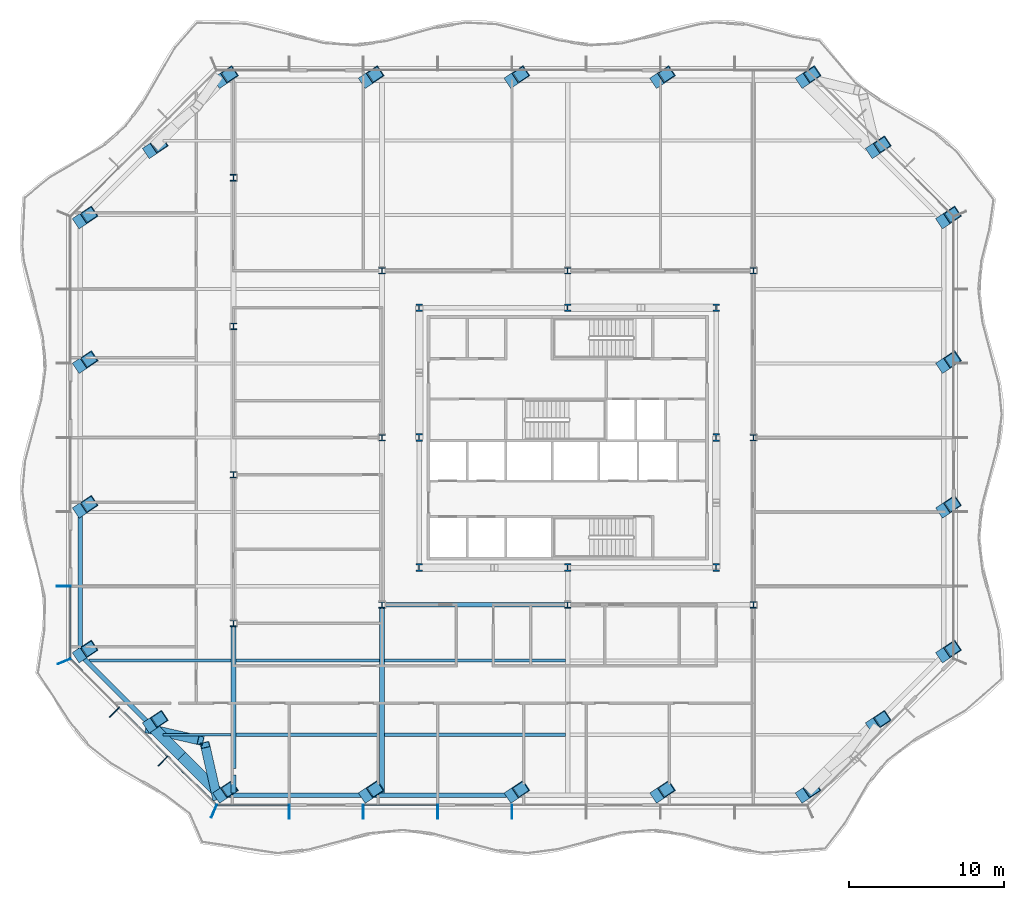
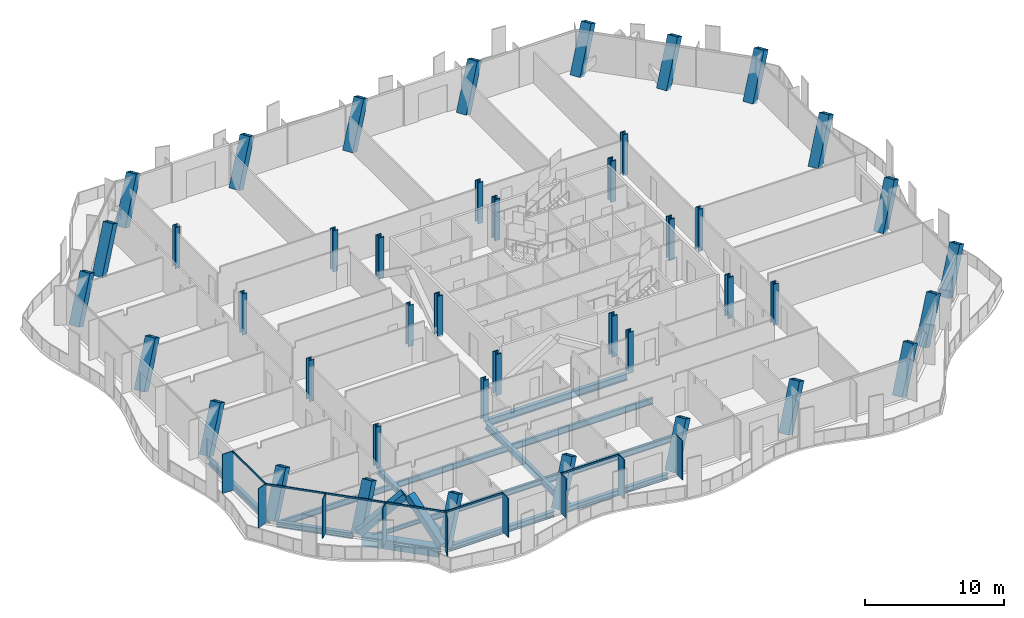
# One storey, part 1 of 20: 42 columns, 17 members, 16 beams, 3 elements without a shape of their own.
"""IFC4 building model written with IfcOpenShell, lengths in metres."""

from ifc_helpers import new_model, si_unit, direction, frame, origin, origin_2d, place, context, subcontext, project, spatial, rectangle, hollow_rectangle, i_section, extrude, clip, halfspace, material, material_profile, profile_set, type_object, element, aggregate, save


model = new_model("IFC4")

# Units and contexts
model_context = context("Model", 3, precision=1e-05, world=origin(), true_north=direction((0.0, 1.0)))
body_context = subcontext(model_context, "Body", "Model", "MODEL_VIEW")
ifc_project = project(units=[si_unit("LENGTHUNIT", "METRE"), si_unit("AREAUNIT", "SQUARE_METRE"), si_unit("VOLUMEUNIT", "CUBIC_METRE"), si_unit("PLANEANGLEUNIT", "RADIAN"), si_unit("MASSUNIT", "GRAM", prefix="KILO")], contexts=[model_context])

# Site, building, storey
site_placement = place(None, origin())
site = spatial("IfcSite", under=ifc_project, at=site_placement, CompositionType="ELEMENT")
building_placement = place(site_placement, origin())
building = spatial("IfcBuilding", under=site, at=building_placement, Name="Cairn Pilgrim Tower", CompositionType="ELEMENT")
storey_placement = place(building_placement, frame((0.0, 0.0, 101.39990234375)))
storey = spatial("IfcBuildingStorey", under=building, at=storey_placement, Name="L24", CompositionType="ELEMENT", Elevation=101.39990234375)

# Columns
ifc_material_1 = material(Name="Structural steel S460M", Category="steel")
ifc_material_profile_1 = material_profile(ifc_material_1, hollow_rectangle(XDim=0.800048828125, YDim=0.800048828125, WallThickness=0.050048828125, at=origin_2d()), Name="BOX 800x800x50")
ifc_profile_set_1 = profile_set([ifc_material_profile_1], Name="Structural steel S460M")
column_type_1 = type_object("IfcColumnType", Name="BOX 800x800x50", PredefinedType="COLUMN", material=ifc_profile_set_1)
for number, where, z_axis, x_axis, name in (
    (1, (-15.227294921875, -20.699951171875, -0.14990234375), (0.375119631758, 0.25005957702, 0.892611600759), (-0.554669210465, 0.832070950678, 0.0), "PC1-S1"),
    (2, (-5.813720703125, -20.699951171875, -0.14990234375), (0.375119631758, 0.25005957702, 0.892611600759), (-0.554669210465, 0.832070950678, 0.0), "PC1-S2"),
):
    element("IfcColumn", number, at=place(storey_placement, frame(where, z_axis=z_axis, x_axis=x_axis)), inside=storey, type_object=column_type_1, Name=name, PredefinedType="COLUMN", context=body_context, shape_type="Clipping", body=[
        clip(extrude(hollow_rectangle(XDim=0.800048828125, YDim=0.800048828125, WallThickness=0.050048828125, at=origin_2d()), origin(), (0.0, 0.0, 1.0), 4.033203125), halfspace(frame((0.0, 0.0, 4.009033203125), z_axis=(0.0, 0.0, 1.0), x_axis=(1.0, 0.0, 0.0)), False)),
    ])
column_1_placement = place(storey_placement, frame((3.60009765625, -20.699951171875, -0.14990234375), z_axis=(0.375067615339, 0.250065254836, 0.892631868268), x_axis=(-0.554731184678, 0.832029634536, 0.0)))
element("IfcColumn", 3, at=column_1_placement, inside=storey, type_object=column_type_1, Name="PC1-S3", PredefinedType="COLUMN", context=body_context, shape_type="Clipping", body=[
    clip(extrude(hollow_rectangle(XDim=0.800048828125, YDim=0.800048828125, WallThickness=0.050048828125, at=origin_2d()), origin(), (0.0, 0.0, 1.0), 4.033203125), halfspace(frame((0.0, 0.0, 4.0087890625), z_axis=(0.0, 0.0, 1.0), x_axis=(1.0, 0.0, 0.0)), False)),
])
for number, where, z_axis, x_axis, name in (
    (4, (13.013671875, -20.699951171875, -0.14990234375), (0.375119631758, 0.25005957702, 0.892611600759), (-0.554669210465, 0.832070950678, 0.0), "PC1-S4"),
    (5, (22.42724609375, -20.699951171875, -0.14990234375), (0.375119631758, 0.25005957702, 0.892611600759), (-0.554669210465, 0.832070950678, 0.0), "PC1-SE1"),
    (6, (26.963623046875, -16.16357421875, -0.14990234375), (0.375119631758, 0.25005957702, 0.892611600759), (-0.554669210465, 0.832070950678, 0.0), "PC1-SE2"),
    (7, (31.5, -11.627197265625, -0.14990234375), (0.375119631758, 0.25005957702, 0.892611600759), (-0.554669210465, 0.832070950678, 0.0), "PC1-E1"),
    (8, (31.5, -2.275634765625, -0.14990234375), (0.375119631758, 0.25005957702, 0.892611600759), (-0.554669210465, 0.832070950678, 0.0), "PC1-E2"),
    (9, (31.5, 7.07568359375, -0.14990234375), (0.375113953119, 0.250116323106, 0.892598088219), (-0.554762160823, 0.832008981273, 0.0), "PC1-E3"),
    (10, (31.5, 16.42724609375, -0.14990234375), (0.375119631758, 0.25005957702, 0.892611600759), (-0.554669210465, 0.832070950678, 0.0), "PC1-NE1"),
    (11, (26.963623046875, 20.963623046875, -0.14990234375), (0.375119631758, 0.25005957702, 0.892611600759), (-0.554669210465, 0.832070950678, 0.0), "PC1-NE2"),
    (12, (22.42724609375, 25.5, -0.14990234375), (0.375119631758, 0.25005957702, 0.892611600759), (-0.554669210465, 0.832070950678, 0.0), "PC1-N1"),
    (13, (13.013671875, 25.5, -0.14990234375), (0.375119631758, 0.25005957702, 0.892611600759), (-0.554669210465, 0.832070950678, 0.0), "PC1-N2"),
):
    element("IfcColumn", number, at=place(storey_placement, frame(where, z_axis=z_axis, x_axis=x_axis)), inside=storey, type_object=column_type_1, Name=name, PredefinedType="COLUMN", context=body_context, shape_type="Clipping", body=[
        clip(extrude(hollow_rectangle(XDim=0.800048828125, YDim=0.800048828125, WallThickness=0.050048828125, at=origin_2d()), origin(), (0.0, 0.0, 1.0), 4.033203125), halfspace(frame((0.0, 0.0, 4.009033203125), z_axis=(0.0, 0.0, 1.0), x_axis=(1.0, 0.0, 0.0)), False)),
    ])
column_2_placement = place(storey_placement, frame((3.60009765625, 25.5, -0.14990234375), z_axis=(0.375067615339, 0.250065254836, 0.892631868268), x_axis=(-0.554731184678, 0.832029634536, 0.0)))
element("IfcColumn", 14, at=column_2_placement, inside=storey, type_object=column_type_1, Name="PC1-N3", PredefinedType="COLUMN", context=body_context, shape_type="Clipping", body=[
    clip(extrude(hollow_rectangle(XDim=0.800048828125, YDim=0.800048828125, WallThickness=0.050048828125, at=origin_2d()), origin(), (0.0, 0.0, 1.0), 4.033203125), halfspace(frame((0.0, 0.0, 4.0087890625), z_axis=(0.0, 0.0, 1.0), x_axis=(1.0, 0.0, 0.0)), False)),
])
for number, where, z_axis, x_axis, name in (
    (15, (-5.813720703125, 25.5, -0.14990234375), (0.375119631758, 0.25005957702, 0.892611600759), (-0.554669210465, 0.832070950678, 0.0), "PC1-N4"),
    (16, (-15.227294921875, 25.5, -0.14990234375), (0.375119631758, 0.25005957702, 0.892611600759), (-0.554669210465, 0.832070950678, 0.0), "PC1-NW1"),
    (17, (-19.763671875, 20.963623046875, -0.14990234375), (0.375119631758, 0.25005957702, 0.892611600759), (-0.554669210465, 0.832070950678, 0.0), "PC1-NW2"),
    (18, (-24.300048828125, 16.42724609375, -0.14990234375), (0.375119631758, 0.25005957702, 0.892611600759), (-0.554669210465, 0.832070950678, 0.0), "PC1-W1"),
    (19, (-24.300048828125, 7.07568359375, -0.14990234375), (0.375113953119, 0.250116323106, 0.892598088219), (-0.554762160823, 0.832008981273, 0.0), "PC1-W2"),
    (20, (-24.300048828125, -2.275634765625, -0.14990234375), (0.375119631758, 0.25005957702, 0.892611600759), (-0.554669210465, 0.832070950678, 0.0), "PC1-W3"),
    (21, (-24.300048828125, -11.627197265625, -0.14990234375), (0.375119631758, 0.25005957702, 0.892611600759), (-0.554669210465, 0.832070950678, 0.0), "PC1-SW1"),
    (22, (-19.763671875, -16.16357421875, -0.14990234375), (0.375119631758, 0.25005957702, 0.892611600759), (-0.554669210465, 0.832070950678, 0.0), "PC1-SW2"),
):
    element("IfcColumn", number, at=place(storey_placement, frame(where, z_axis=z_axis, x_axis=x_axis)), inside=storey, type_object=column_type_1, Name=name, PredefinedType="COLUMN", context=body_context, shape_type="Clipping", body=[
        clip(extrude(hollow_rectangle(XDim=0.800048828125, YDim=0.800048828125, WallThickness=0.050048828125, at=origin_2d()), origin(), (0.0, 0.0, 1.0), 4.033203125), halfspace(frame((0.0, 0.0, 4.009033203125), z_axis=(0.0, 0.0, 1.0), x_axis=(1.0, 0.0, 0.0)), False)),
    ])
ifc_material_profile_2 = material_profile(ifc_material_1, i_section(OverallWidth=0.408935546875, OverallDepth=0.425048828125, WebThickness=0.03271484375, FlangeThickness=0.052490234375, FilletRadius=0.014892578125, at=origin_2d()), Name="HD 400x421")
ifc_profile_set_2 = profile_set([ifc_material_profile_2], Name="Structural steel S460M")
column_type_2 = type_object("IfcColumnType", Name="HD 400x421", PredefinedType="COLUMN", material=ifc_profile_set_2)
for number, where, z_axis, x_axis, name in (
    (23, (-4.800048828125, -8.39990234375, -0.14990234375), (0.0, 0.0, 1.0), (1.0, 0.0, 0.0), "IC-1"),
    (24, (7.199951171875, -8.39990234375, -0.14990234375), (0.0, 0.0, 1.0), (1.0, 0.0, 0.0), "IC-2"),
    (25, (19.199951171875, -8.39990234375, -0.14990234375), (0.0, 0.0, 1.0), (1.0, 0.0, 0.0), "IC-3"),
    (26, (-4.800048828125, 2.39990234375, -0.14990234375), (0.0, 0.0, 1.0), (1.0, 0.0, 0.0), "IC-4"),
    (27, (19.199951171875, 2.39990234375, -0.14990234375), (0.0, 0.0, 1.0), (1.0, 0.0, 0.0), "IC-5"),
    (28, (-4.800048828125, 13.199951171875, -0.14990234375), (0.0, 0.0, 1.0), (1.0, 0.0, 0.0), "IC-6"),
    (29, (7.199951171875, 13.199951171875, -0.14990234375), (0.0, 0.0, 1.0), (1.0, 0.0, 0.0), "IC-7"),
    (30, (19.199951171875, 13.199951171875, -0.14990234375), (0.0, 0.0, 1.0), (1.0, 0.0, 0.0), "IC-8"),
    (31, (-14.39990234375, -9.60009765625, -0.14990234375), (0.0, 0.0, 1.0), (1.0, 0.0, 0.0), "WC-WW-2"),
    (32, (-14.39990234375, 0.0, -0.14990234375), (0.0, 0.0, 1.0), (1.0, 0.0, 0.0), "WC-WW+0"),
    (33, (-14.39990234375, 9.60009765625, -0.14990234375), (0.0, 0.0, 1.0), (1.0, 0.0, 0.0), "WC-WW+2"),
    (34, (-14.39990234375, 19.199951171875, -0.14990234375), (0.0, 0.0, 1.0), (1.0, 0.0, 0.0), "WC-WW+4"),
):
    element("IfcColumn", number, at=place(storey_placement, frame(where, z_axis=z_axis, x_axis=x_axis)), inside=storey, type_object=column_type_2, Name=name, PredefinedType="COLUMN", context=body_context, shape_type="SweptSolid", body=[
        extrude(i_section(OverallWidth=0.408935546875, OverallDepth=0.425048828125, WebThickness=0.03271484375, FlangeThickness=0.052490234375, FilletRadius=0.014892578125, at=origin_2d()), origin(), (0.0, 0.0, 1.0), 3.60009765625),
    ])
ifc_material_profile_3 = material_profile(ifc_material_1, i_section(OverallWidth=0.43701171875, OverallDepth=0.513916015625, WebThickness=0.060546875, FlangeThickness=0.096923828125, FilletRadius=0.014892578125, at=origin_2d()), Name="HD 400x818")
ifc_profile_set_3 = profile_set([ifc_material_profile_3], Name="Structural steel S460M")
column_type_3 = type_object("IfcColumnType", Name="HD 400x818", PredefinedType="COLUMN", material=ifc_profile_set_3)
for number, where, z_axis, x_axis, name in (
    (35, (-2.39990234375, -6.0, -0.14990234375), (0.0, 0.0, 1.0), (1.0, 0.0, 0.0), "KC-1"),
    (36, (7.199951171875, -6.0, -0.14990234375), (0.0, 0.0, 1.0), (1.0, 0.0, 0.0), "KC-2"),
    (37, (16.800048828125, -6.0, -0.14990234375), (0.0, 0.0, 1.0), (1.0, 0.0, 0.0), "KC-3"),
    (38, (-2.39990234375, 2.39990234375, -0.14990234375), (0.0, 0.0, 1.0), (1.0, 0.0, 0.0), "KC-4"),
    (39, (16.800048828125, 2.39990234375, -0.14990234375), (0.0, 0.0, 1.0), (1.0, 0.0, 0.0), "KC-5"),
    (40, (-2.39990234375, 10.800048828125, -0.14990234375), (0.0, 0.0, 1.0), (1.0, 0.0, 0.0), "KC-6"),
    (41, (7.199951171875, 10.800048828125, -0.14990234375), (0.0, 0.0, 1.0), (1.0, 0.0, 0.0), "KC-7"),
    (42, (16.800048828125, 10.800048828125, -0.14990234375), (0.0, 0.0, 1.0), (1.0, 0.0, 0.0), "KC-8"),
):
    element("IfcColumn", number, at=place(storey_placement, frame(where, z_axis=z_axis, x_axis=x_axis)), inside=storey, type_object=column_type_3, Name=name, PredefinedType="COLUMN", context=body_context, shape_type="SweptSolid", body=[
        extrude(i_section(OverallWidth=0.43701171875, OverallDepth=0.513916015625, WebThickness=0.060546875, FlangeThickness=0.096923828125, FilletRadius=0.014892578125, at=origin_2d()), origin(), (0.0, 0.0, 1.0), 3.60009765625),
    ])

# Members
ifc_material_profile_4 = material_profile(ifc_material_1, hollow_rectangle(XDim=0.60009765625, YDim=0.60009765625, WallThickness=0.034912109375, at=origin_2d()), Name="BOX 600x600x35")
ifc_profile_set_4 = profile_set([ifc_material_profile_4], Name="Structural steel S460M")
member_type_1 = type_object("IfcMemberType", Name="BOX 600x600x35 BRACE", PredefinedType="BRACE", material=ifc_profile_set_4)
member_1_placement = place(storey_placement, frame((-19.894287109375, -16.40771484375, 0.150146484375), z_axis=(0.781035759164, -0.176937510167, 0.598895867746), x_axis=(0.22094351224, 0.975286606285, 0.0)))
element("IfcMember", 43, at=member_1_placement, inside=storey, type_object=member_type_1, Name="XB-SW2-S1-1", PredefinedType="BRACE", context=body_context, shape_type="SweptSolid", body=[
    extrude(hollow_rectangle(XDim=0.60009765625, YDim=0.60009765625, WallThickness=0.034912109375, at=origin_2d()), origin(), (0.0, 0.0, 1.0), 4.3173828125),
])
member_2_placement = place(storey_placement, frame((-15.47119140625, -20.830810546875, 0.150146484375), z_axis=(-0.17692969583, 0.781057810323, 0.598869417876), x_axis=(-0.975290052904, -0.220928297657, 0.0)))
element("IfcMember", 44, at=member_2_placement, inside=storey, type_object=member_type_1, Name="XB-SW2-S1-2", PredefinedType="BRACE", context=body_context, shape_type="SweptSolid", body=[
    extrude(hollow_rectangle(XDim=0.60009765625, YDim=0.60009765625, WallThickness=0.034912109375, at=origin_2d()), origin(), (0.0, 0.0, 1.0), 4.317626953125),
])

# Beams
ifc_material_2 = material(Name="Structural steel S355J2", Category="steel")
ifc_material_profile_5 = material_profile(ifc_material_2, hollow_rectangle(XDim=0.699951171875, YDim=0.800048828125, WallThickness=0.0400390625, at=origin_2d()), Name="BOX 700x800x40")
ifc_profile_set_5 = profile_set([ifc_material_profile_5], Name="Structural steel S355J2")
beam_type_1 = type_object("IfcBeamType", Name="BOX 700x800x40 RING GIRDER", PredefinedType="SPANDREL", material=ifc_profile_set_5)
beam_1_placement = place(storey_placement, frame((-19.509033203125, -16.418212890625, -0.5498046875), z_axis=(0.707106781187, -0.707106781187, 0.0), x_axis=(0.707106781187, 0.707106781187, 0.0)))
element("IfcBeam", 45, at=beam_1_placement, inside=storey, type_object=beam_type_1, Name="RG1-SW2-S1-1", PredefinedType="SPANDREL", context=body_context, shape_type="SweptSolid", body=[
    extrude(hollow_rectangle(XDim=0.699951171875, YDim=0.800048828125, WallThickness=0.0400390625, at=origin_2d()), origin(), (0.0, 0.0, 1.0), 2.4912109375),
])
beam_2_placement = place(storey_placement, frame((-17.74755859375, -18.1796875, -0.5498046875), z_axis=(0.707144876533, -0.707068683787, 0.0), x_axis=(0.707068683787, 0.707144876533, 0.0)))
element("IfcBeam", 46, at=beam_2_placement, inside=storey, type_object=beam_type_1, Name="RG1-SW2-S1-2", PredefinedType="SPANDREL", context=body_context, shape_type="SweptSolid", body=[
    extrude(hollow_rectangle(XDim=0.699951171875, YDim=0.800048828125, WallThickness=0.0400390625, at=origin_2d()), origin(), (0.0, 0.0, 1.0), 3.204345703125),
])

# Curtain wall, members
ifc_material_3 = material(Name="Aluminium alloy 6063-T6 bronze anodised with Bronze tinted laminated low-E glass 8+16+8.8", Category="aluminium")
curtain_wall_type_1 = type_object("IfcCurtainWallType", Name="TOWER STICK CURTAIN WALL NS", PredefinedType="NOTDEFINED", material=ifc_material_3)
curtain_wall_1_placement = place(storey_placement, origin())
curtain_wall_1 = element("IfcCurtainWall", 47, at=curtain_wall_1_placement, inside=storey, type_object=curtain_wall_type_1, Name="Tower Stick Curtain Wall Ns S", PredefinedType="NOTDEFINED")
ifc_material_4 = material(Name="Aluminium alloy 6063-T6 bronze anodised", Category="aluminium")
ifc_material_profile_6 = material_profile(ifc_material_4, rectangle(XDim=0.89990234375, YDim=0.06005859375, at=origin_2d()), Name="FIN MULLION 60x900 BRONZE")
ifc_profile_set_6 = profile_set([ifc_material_profile_6], Name="Aluminium alloy 6063-T6 bronze anodised")
member_type_2 = type_object("IfcMemberType", Name="FIN MULLION 60x900 BRONZE", PredefinedType="MULLION", material=ifc_profile_set_6)
member_3_placement = place(storey_placement, frame((-15.6572265625, -21.738037109375, 0.0), z_axis=(0.0, 0.0, 1.0), x_axis=(-0.382683432365, -0.923879532511, 0.0)))
member_3 = element("IfcMember", 48, at=member_3_placement, type_object=member_type_2, Name="Fin mullion S1", PredefinedType="MULLION", context=body_context, shape_type="SweptSolid", body=[
    extrude(rectangle(XDim=0.89990234375, YDim=0.06005859375, at=origin_2d()), origin(), (0.0, 0.0, 1.0), 3.4501953125),
])
member_4_placement = place(storey_placement, frame((-10.800048828125, -21.77001953125, 0.0), z_axis=(0.0, 0.0, 1.0), x_axis=(0.0, -1.0, 0.0)))
member_4 = element("IfcMember", 49, at=member_4_placement, type_object=member_type_2, Name="Fin mullion S2", PredefinedType="MULLION", context=body_context, shape_type="SweptSolid", body=[
    extrude(rectangle(XDim=0.89990234375, YDim=0.06005859375, at=origin_2d()), origin(), (0.0, 0.0, 1.0), 3.4501953125),
])
member_5_placement = place(storey_placement, frame((-6.0, -21.77001953125, 0.0), z_axis=(0.0, 0.0, 1.0), x_axis=(0.0, -1.0, 0.0)))
member_5 = element("IfcMember", 50, at=member_5_placement, type_object=member_type_2, Name="Fin mullion S3", PredefinedType="MULLION", context=body_context, shape_type="SweptSolid", body=[
    extrude(rectangle(XDim=0.89990234375, YDim=0.06005859375, at=origin_2d()), origin(), (0.0, 0.0, 1.0), 3.4501953125),
])
member_6_placement = place(storey_placement, frame((-1.199951171875, -21.77001953125, 0.0), z_axis=(0.0, 0.0, 1.0), x_axis=(0.0, -1.0, 0.0)))
member_6 = element("IfcMember", 51, at=member_6_placement, type_object=member_type_2, Name="Fin mullion S4", PredefinedType="MULLION", context=body_context, shape_type="SweptSolid", body=[
    extrude(rectangle(XDim=0.89990234375, YDim=0.06005859375, at=origin_2d()), origin(), (0.0, 0.0, 1.0), 3.4501953125),
])
member_7_placement = place(storey_placement, frame((3.60009765625, -21.77001953125, 0.0), z_axis=(0.0, 0.0, 1.0), x_axis=(0.0, -1.0, 0.0)))
member_7 = element("IfcMember", 52, at=member_7_placement, type_object=member_type_2, Name="Fin mullion S5", PredefinedType="MULLION", context=body_context, shape_type="SweptSolid", body=[
    extrude(rectangle(XDim=0.89990234375, YDim=0.06005859375, at=origin_2d()), origin(), (0.0, 0.0, 1.0), 3.4501953125),
])

# Curtain wall, member
curtain_wall_type_2 = type_object("IfcCurtainWallType", Name="TOWER STICK CURTAIN WALL EW", PredefinedType="NOTDEFINED", material=ifc_material_3)
curtain_wall_2_placement = place(storey_placement, origin())
curtain_wall_2 = element("IfcCurtainWall", 53, at=curtain_wall_2_placement, inside=storey, type_object=curtain_wall_type_2, Name="Tower Stick Curtain Wall Ew W", PredefinedType="NOTDEFINED")
member_8_placement = place(storey_placement, frame((-25.3701171875, -7.199951171875, 0.0), z_axis=(0.0, 0.0, 1.0), x_axis=(-1.0, 0.0, 0.0)))
member_8 = element("IfcMember", 54, at=member_8_placement, type_object=member_type_2, Name="Fin mullion W6", PredefinedType="MULLION", context=body_context, shape_type="SweptSolid", body=[
    extrude(rectangle(XDim=0.89990234375, YDim=0.06005859375, at=origin_2d()), origin(), (0.0, 0.0, 1.0), 3.4501953125),
])

# Curtain wall, members
curtain_wall_type_3 = type_object("IfcCurtainWallType", Name="CHAMFER CORNER CURTAIN WALL", PredefinedType="NOTDEFINED", material=ifc_material_3)
curtain_wall_3_placement = place(storey_placement, origin())
curtain_wall_3 = element("IfcCurtainWall", 55, at=curtain_wall_3_placement, inside=storey, type_object=curtain_wall_type_3, Name="Chamfer Corner Curtain Wall SW", PredefinedType="NOTDEFINED")
member_9_placement = place(storey_placement, frame((-25.338134765625, -12.05712890625, 0.0), z_axis=(0.0, 0.0, 1.0), x_axis=(-0.923879532511, -0.382683432365, 0.0)))
member_9 = element("IfcMember", 56, at=member_9_placement, type_object=member_type_2, Name="Fin mullion SW1", PredefinedType="MULLION", context=body_context, shape_type="SweptSolid", body=[
    extrude(rectangle(XDim=0.89990234375, YDim=0.06005859375, at=origin_2d()), origin(), (0.0, 0.0, 1.0), 3.4501953125),
])
member_10_placement = place(storey_placement, frame((-22.095703125, -15.3447265625, 0.0), z_axis=(0.0, 0.0, 1.0), x_axis=(-0.707106781187, -0.707106781187, 0.0)))
member_10 = element("IfcMember", 57, at=member_10_placement, type_object=member_type_2, Name="Fin mullion SW2", PredefinedType="MULLION", context=body_context, shape_type="SweptSolid", body=[
    extrude(rectangle(XDim=0.89990234375, YDim=0.06005859375, at=origin_2d()), origin(), (0.0, 0.0, 1.0), 3.4501953125),
])
member_11_placement = place(storey_placement, frame((-18.944580078125, -18.495849609375, 0.0), z_axis=(0.0, 0.0, 1.0), x_axis=(-0.707106781187, -0.707106781187, 0.0)))
member_11 = element("IfcMember", 58, at=member_11_placement, type_object=member_type_2, Name="Fin mullion SW3", PredefinedType="MULLION", context=body_context, shape_type="SweptSolid", body=[
    extrude(rectangle(XDim=0.89990234375, YDim=0.06005859375, at=origin_2d()), origin(), (0.0, 0.0, 1.0), 3.4501953125),
])

# Beams
ifc_material_profile_7 = material_profile(ifc_material_2, i_section(OverallWidth=0.300048828125, OverallDepth=0.39990234375, WebThickness=0.013427734375, FlangeThickness=0.02392578125, FilletRadius=0.027099609375, at=origin_2d()), Name="HEB 400")
ifc_profile_set_7 = profile_set([ifc_material_profile_7], Name="Structural steel S355J2")
beam_type_2 = type_object("IfcBeamType", Name="HEB 400 GIRDER", PredefinedType="BEAM", material=ifc_profile_set_7)
beam_3_placement = place(storey_placement, frame((-14.39990234375, -20.580078125, -0.349853515625), z_axis=(0.0, 1.0, 0.0), x_axis=(-1.0, 0.0, 0.0)))
element("IfcBeam", 59, at=beam_3_placement, inside=storey, type_object=beam_type_2, Name="PG1-E1", PredefinedType="BEAM", context=body_context, shape_type="SweptSolid", body=[
    extrude(i_section(OverallWidth=0.300048828125, OverallDepth=0.39990234375, WebThickness=0.013427734375, FlangeThickness=0.02392578125, FilletRadius=0.027099609375, at=origin_2d()), origin(), (0.0, 0.0, 1.0), 1.175537109375),
])
ifc_material_profile_8 = material_profile(ifc_material_2, i_section(OverallWidth=0.300048828125, OverallDepth=0.5, WebThickness=0.014404296875, FlangeThickness=0.028076171875, FilletRadius=0.027099609375, at=origin_2d()), Name="HEB 500")
ifc_profile_set_8 = profile_set([ifc_material_profile_8], Name="Structural steel S355J2")
beam_type_3 = type_object("IfcBeamType", Name="HEB 500 GIRDER", PredefinedType="BEAM", material=ifc_profile_set_8)
beam_4_placement = place(storey_placement, frame((-14.39990234375, -18.99560546875, -0.39990234375), z_axis=(0.0, 1.0, 0.0), x_axis=(-1.0, 0.0, 0.0)))
element("IfcBeam", 60, at=beam_4_placement, inside=storey, type_object=beam_type_3, Name="PG1-1", PredefinedType="BEAM", context=body_context, shape_type="SweptSolid", body=[
    extrude(i_section(OverallWidth=0.300048828125, OverallDepth=0.5, WebThickness=0.014404296875, FlangeThickness=0.028076171875, FilletRadius=0.027099609375, at=origin_2d()), origin(), (0.0, 0.0, 1.0), 9.191162109375),
])
ifc_material_profile_9 = material_profile(ifc_material_2, i_section(OverallWidth=0.300048828125, OverallDepth=0.5, WebThickness=0.014404296875, FlangeThickness=0.028076171875, FilletRadius=0.027099609375, at=origin_2d()), Name="HEB 500")
ifc_profile_set_9 = profile_set([ifc_material_profile_9], Name="Structural steel S355J2")
beam_type_4 = type_object("IfcBeamType", Name="HEB 500 RING GIRDER", PredefinedType="SPANDREL", material=ifc_profile_set_9)
for number, where, z_axis, x_axis, name in (
    (61, (-14.8671875, -20.699951171875, -0.39990234375), (1.0, 0.0, 0.0), (0.0, 1.0, 0.0), "RG1-S1-S2"),
    (62, (-5.45361328125, -20.699951171875, -0.39990234375), (1.0, 0.0, 0.0), (0.0, 1.0, 0.0), "RG1-S2-S3"),
):
    element("IfcBeam", number, at=place(storey_placement, frame(where, z_axis=z_axis, x_axis=x_axis)), inside=storey, type_object=beam_type_4, Name=name, PredefinedType="SPANDREL", context=body_context, shape_type="SweptSolid", body=[
        extrude(i_section(OverallWidth=0.300048828125, OverallDepth=0.5, WebThickness=0.014404296875, FlangeThickness=0.028076171875, FilletRadius=0.027099609375, at=origin_2d()), origin(), (0.0, 0.0, 1.0), 8.693603515625),
    ])
beam_5_placement = place(storey_placement, frame((-24.300048828125, -2.6357421875, -0.39990234375), z_axis=(0.0, -1.0, 0.0), x_axis=(1.0, 0.0, 0.0)))
element("IfcBeam", 63, at=beam_5_placement, inside=storey, type_object=beam_type_4, Name="RG1-W3-SW1", PredefinedType="SPANDREL", context=body_context, shape_type="SweptSolid", body=[
    extrude(i_section(OverallWidth=0.300048828125, OverallDepth=0.5, WebThickness=0.014404296875, FlangeThickness=0.028076171875, FilletRadius=0.027099609375, at=origin_2d()), origin(), (0.0, 0.0, 1.0), 8.63134765625),
])
beam_6_placement = place(storey_placement, frame((-24.04541015625, -11.8818359375, -0.39990234375), z_axis=(0.707106781187, -0.707106781187, 0.0), x_axis=(0.707106781187, 0.707106781187, 0.0)))
element("IfcBeam", 64, at=beam_6_placement, inside=storey, type_object=beam_type_4, Name="RG1-SW1-SW2", PredefinedType="SPANDREL", context=body_context, shape_type="SweptSolid", body=[
    extrude(i_section(OverallWidth=0.300048828125, OverallDepth=0.5, WebThickness=0.014404296875, FlangeThickness=0.028076171875, FilletRadius=0.027099609375, at=origin_2d()), origin(), (0.0, 0.0, 1.0), 5.695068359375),
])
ifc_material_profile_10 = material_profile(ifc_material_2, i_section(OverallWidth=0.300048828125, OverallDepth=0.60009765625, WebThickness=0.015380859375, FlangeThickness=0.030029296875, FilletRadius=0.027099609375, at=origin_2d()), Name="HEB 600")
ifc_profile_set_10 = profile_set([ifc_material_profile_10], Name="Structural steel S355J2")
beam_type_5 = type_object("IfcBeamType", Name="HEB 600 GIRDER", PredefinedType="BEAM", material=ifc_profile_set_10)
beam_7_placement = place(storey_placement, frame((-4.800048828125, -20.580078125, -0.449951171875), z_axis=(0.0, 1.0, 0.0), x_axis=(-1.0, 0.0, 0.0)))
element("IfcBeam", 65, at=beam_7_placement, inside=storey, type_object=beam_type_5, Name="PG2-1", PredefinedType="BEAM", context=body_context, shape_type="SweptSolid", body=[
    extrude(i_section(OverallWidth=0.300048828125, OverallDepth=0.60009765625, WebThickness=0.015380859375, FlangeThickness=0.030029296875, FilletRadius=0.027099609375, at=origin_2d()), origin(), (0.0, 0.0, 1.0), 11.9755859375),
])
ifc_material_profile_11 = material_profile(ifc_material_2, i_section(OverallWidth=0.300048828125, OverallDepth=0.60009765625, WebThickness=0.015380859375, FlangeThickness=0.030029296875, FilletRadius=0.027099609375, at=origin_2d()), Name="HEB 600")
ifc_profile_set_11 = profile_set([ifc_material_profile_11], Name="Structural steel S355J2")
beam_type_6 = type_object("IfcBeamType", Name="HEB 600 INNER GIRDER", PredefinedType="BEAM", material=ifc_profile_set_11)
beam_8_placement = place(storey_placement, frame((-4.595458984375, -8.39990234375, -0.449951171875), z_axis=(1.0, 0.0, 0.0), x_axis=(0.0, 1.0, 0.0)))
element("IfcBeam", 66, at=beam_8_placement, inside=storey, type_object=beam_type_6, Name="IG1-1", PredefinedType="BEAM", context=body_context, shape_type="SweptSolid", body=[
    extrude(i_section(OverallWidth=0.300048828125, OverallDepth=0.60009765625, WebThickness=0.015380859375, FlangeThickness=0.030029296875, FilletRadius=0.027099609375, at=origin_2d()), origin(), (0.0, 0.0, 1.0), 11.591064453125),
])
ifc_material_profile_12 = material_profile(ifc_material_2, i_section(OverallWidth=0.169921875, OverallDepth=0.360107421875, WebThickness=0.008056640625, FlangeThickness=0.0126953125, FilletRadius=0.01806640625, at=origin_2d()), Name="IPE 360")
ifc_profile_set_12 = profile_set([ifc_material_profile_12], Name="Structural steel S355J2")
beam_type_7 = type_object("IfcBeamType", Name="IPE 360 SECONDARY BEAM", PredefinedType="JOIST", material=ifc_profile_set_12)
beam_9_placement = place(storey_placement, frame((-18.945068359375, -16.800048828125, -0.329833984375), z_axis=(1.0, 0.0, 0.0), x_axis=(0.0, 1.0, 0.0)))
element("IfcBeam", 67, at=beam_9_placement, inside=storey, type_object=beam_type_7, Name="SB1-1", PredefinedType="JOIST", context=body_context, shape_type="SweptSolid", body=[
    extrude(i_section(OverallWidth=0.169921875, OverallDepth=0.360107421875, WebThickness=0.008056640625, FlangeThickness=0.0126953125, FilletRadius=0.01806640625, at=origin_2d()), origin(), (0.0, 0.0, 1.0), 4.39501953125),
])
ifc_material_profile_13 = material_profile(ifc_material_2, i_section(OverallWidth=0.199951171875, OverallDepth=0.5, WebThickness=0.01025390625, FlangeThickness=0.01611328125, FilletRadius=0.02099609375, at=origin_2d()), Name="IPE 500")
ifc_profile_set_13 = profile_set([ifc_material_profile_13], Name="Structural steel S355J2")
beam_type_8 = type_object("IfcBeamType", Name="IPE 500 SECONDARY BEAM", PredefinedType="JOIST", material=ifc_profile_set_13)
beam_10_placement = place(storey_placement, frame((-14.25, -16.800048828125, -0.39990234375), z_axis=(1.0, 0.0, 0.0), x_axis=(0.0, 1.0, 0.0)))
element("IfcBeam", 68, at=beam_10_placement, inside=storey, type_object=beam_type_8, Name="SB1-2", PredefinedType="JOIST", context=body_context, shape_type="SweptSolid", body=[
    extrude(i_section(OverallWidth=0.199951171875, OverallDepth=0.5, WebThickness=0.01025390625, FlangeThickness=0.01611328125, FilletRadius=0.02099609375, at=origin_2d()), origin(), (0.0, 0.0, 1.0), 9.300048828125),
])
beam_11_placement = place(storey_placement, frame((-23.7451171875, -12.0, -0.39990234375), z_axis=(1.0, 0.0, 0.0), x_axis=(0.0, 1.0, 0.0)))
element("IfcBeam", 69, at=beam_11_placement, inside=storey, type_object=beam_type_8, Name="SB2-1", PredefinedType="JOIST", context=body_context, shape_type="SweptSolid", body=[
    extrude(i_section(OverallWidth=0.199951171875, OverallDepth=0.5, WebThickness=0.01025390625, FlangeThickness=0.01611328125, FilletRadius=0.02099609375, at=origin_2d()), origin(), (0.0, 0.0, 1.0), 9.195068359375),
])
beam_12_placement = place(storey_placement, frame((-14.25, -12.0, -0.39990234375), z_axis=(1.0, 0.0, 0.0), x_axis=(0.0, 1.0, 0.0)))
element("IfcBeam", 70, at=beam_12_placement, inside=storey, type_object=beam_type_8, Name="SB2-2", PredefinedType="JOIST", context=body_context, shape_type="SweptSolid", body=[
    extrude(i_section(OverallWidth=0.199951171875, OverallDepth=0.5, WebThickness=0.01025390625, FlangeThickness=0.01611328125, FilletRadius=0.02099609375, at=origin_2d()), origin(), (0.0, 0.0, 1.0), 9.300048828125),
])
ifc_material_profile_14 = material_profile(ifc_material_2, i_section(OverallWidth=0.2099609375, OverallDepth=0.550048828125, WebThickness=0.010986328125, FlangeThickness=0.01708984375, FilletRadius=0.02392578125, at=origin_2d()), Name="IPE 550")
ifc_profile_set_14 = profile_set([ifc_material_profile_14], Name="Structural steel S355J2")
beam_type_9 = type_object("IfcBeamType", Name="IPE 550 SECONDARY BEAM", PredefinedType="JOIST", material=ifc_profile_set_14)
for number, where, z_axis, x_axis, name in (
    (71, (-4.64990234375, -16.800048828125, -0.4248046875), (1.0, 0.0, 0.0), (0.0, 1.0, 0.0), "SB1-3"),
    (72, (-4.64990234375, -12.0, -0.4248046875), (1.0, 0.0, 0.0), (0.0, 1.0, 0.0), "SB2-3"),
):
    element("IfcBeam", number, at=place(storey_placement, frame(where, z_axis=z_axis, x_axis=x_axis)), inside=storey, type_object=beam_type_9, Name=name, PredefinedType="JOIST", context=body_context, shape_type="SweptSolid", body=[
        extrude(i_section(OverallWidth=0.2099609375, OverallDepth=0.550048828125, WebThickness=0.010986328125, FlangeThickness=0.01708984375, FilletRadius=0.02392578125, at=origin_2d()), origin(), (0.0, 0.0, 1.0), 11.699951171875),
    ])

# Member
ifc_material_profile_15 = material_profile(ifc_material_4, rectangle(XDim=0.080078125, YDim=0.14990234375, at=origin_2d()), Name="TRANSOM 80x150 BRONZE")
ifc_profile_set_15 = profile_set([ifc_material_profile_15], Name="Aluminium alloy 6063-T6 bronze anodised")
member_type_3 = type_object("IfcMemberType", Name="TRANSOM 80x150 BRONZE", PredefinedType="USERDEFINED", material=ifc_profile_set_15)
member_12_placement = place(storey_placement, frame((-15.45654296875, -21.35009765625, 3.375), z_axis=(1.0, 0.0, 0.0), x_axis=(0.0, 1.0, 0.0)))
member_12 = element("IfcMember", 73, at=member_12_placement, type_object=member_type_3, Name="Transom S1", ObjectType="TRANSOM", PredefinedType="USERDEFINED", context=body_context, shape_type="SweptSolid", body=[
    extrude(rectangle(XDim=0.080078125, YDim=0.14990234375, at=origin_2d()), origin(), (0.0, 0.0, 1.0), 4.62646484375),
])

member_13_placement = place(storey_placement, frame((-5.969970703125, -21.35009765625, 3.375), z_axis=(1.0, 0.0, 0.0), x_axis=(0.0, 1.0, 0.0)))
member_13 = element("IfcMember", 74, at=member_13_placement, type_object=member_type_3, Name="Transom S3", ObjectType="TRANSOM", PredefinedType="USERDEFINED", context=body_context, shape_type="SweptSolid", body=[
    extrude(rectangle(XDim=0.080078125, YDim=0.14990234375, at=origin_2d()), origin(), (0.0, 0.0, 1.0), 4.739990234375),
])

aggregate(curtain_wall_1, [member_3, member_4, member_5, member_6, member_7, member_12, member_13])

member_14_placement = place(storey_placement, frame((-24.949951171875, -7.22998046875, 3.375), z_axis=(0.0, -1.0, 0.0), x_axis=(1.0, 0.0, 0.0)))
member_14 = element("IfcMember", 75, at=member_14_placement, type_object=member_type_3, Name="Transom W6", ObjectType="TRANSOM", PredefinedType="USERDEFINED", context=body_context, shape_type="SweptSolid", body=[
    extrude(rectangle(XDim=0.080078125, YDim=0.14990234375, at=origin_2d()), origin(), (0.0, 0.0, 1.0), 4.62646484375),
])

aggregate(curtain_wall_2, [member_8, member_14])

member_15_placement = place(storey_placement, frame((-24.921630859375, -11.9248046875, 3.375), z_axis=(0.707106781187, -0.707106781187, 0.0), x_axis=(0.707106781187, 0.707106781187, 0.0)))
member_15 = element("IfcMember", 76, at=member_15_placement, type_object=member_type_3, Name="Transom SW1", ObjectType="TRANSOM", PredefinedType="USERDEFINED", context=body_context, shape_type="SweptSolid", body=[
    extrude(rectangle(XDim=0.080078125, YDim=0.14990234375, at=origin_2d()), origin(), (0.0, 0.0, 1.0), 4.38623046875),
])

member_16_placement = place(storey_placement, frame((-21.777587890625, -15.06884765625, 3.375), z_axis=(0.707106781187, -0.707106781187, 0.0), x_axis=(0.707106781187, 0.707106781187, 0.0)))
member_16 = element("IfcMember", 77, at=member_16_placement, type_object=member_type_3, Name="Transom SW2", ObjectType="TRANSOM", PredefinedType="USERDEFINED", context=body_context, shape_type="SweptSolid", body=[
    extrude(rectangle(XDim=0.080078125, YDim=0.14990234375, at=origin_2d()), origin(), (0.0, 0.0, 1.0), 4.396240234375),
])

member_17_placement = place(storey_placement, frame((-18.62646484375, -18.219970703125, 3.375), z_axis=(0.707106781187, -0.707106781187, 0.0), x_axis=(0.707106781187, 0.707106781187, 0.0)))
member_17 = element("IfcMember", 78, at=member_17_placement, type_object=member_type_3, Name="Transom SW3", ObjectType="TRANSOM", PredefinedType="USERDEFINED", context=body_context, shape_type="SweptSolid", body=[
    extrude(rectangle(XDim=0.080078125, YDim=0.14990234375, at=origin_2d()), origin(), (0.0, 0.0, 1.0), 4.38671875),
])

aggregate(curtain_wall_3, [member_9, member_10, member_11, member_15, member_16, member_17])

save(model, "model.ifc")
